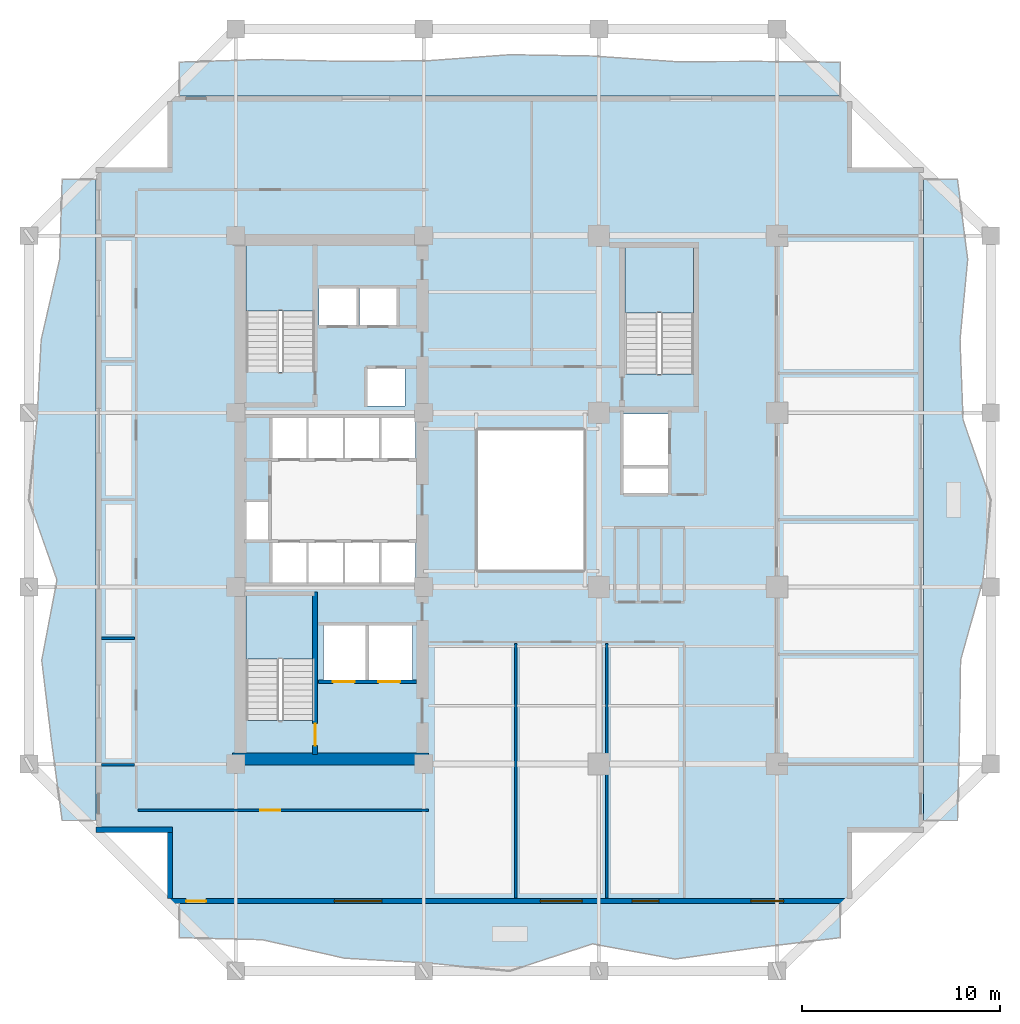
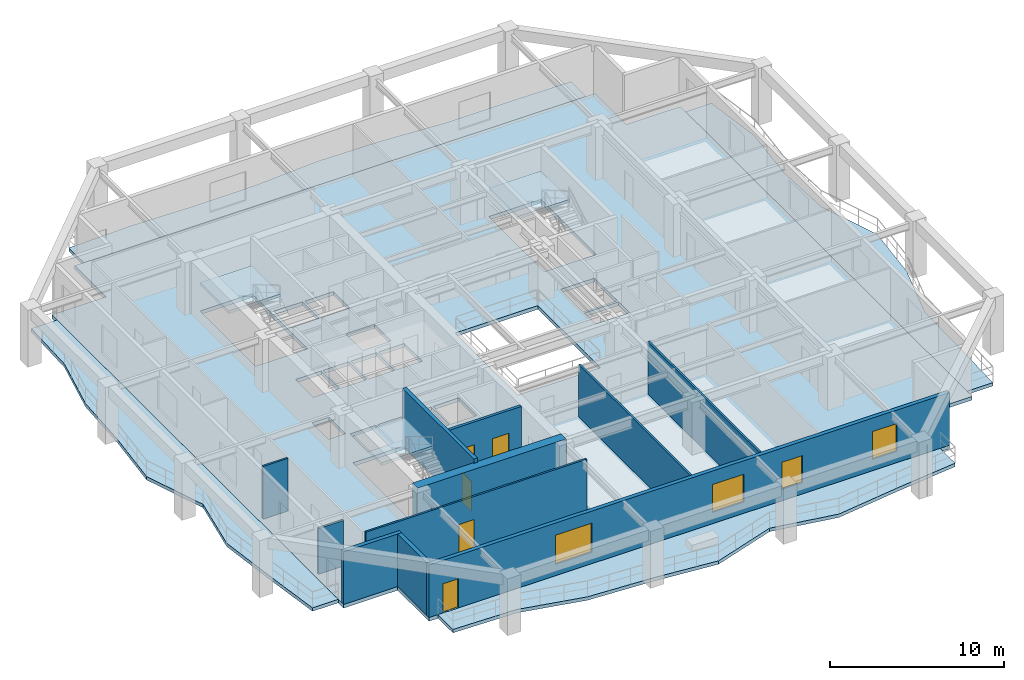
# One storey, part 2 of 11: 11 walls, 8 slabs, 5 doors, 4 windows, 9 openings, 3 elements without a shape of their own.
"""IFC4 building model written with IfcOpenShell, lengths in metres."""

from ifc_helpers import new_model, si_unit, direction, frame, frame_2d, origin, place, context, subcontext, project, spatial, polyline, rectangle, outline, extrude, material, layer, layer_set, type_object, element, fill, aggregate, save


model = new_model("IFC4")

# Units and contexts
model_context = context("Model", 3, precision=1e-05, world=origin(), true_north=direction((0.0, 1.0)))
body_context = subcontext(model_context, "Body", "Model", "MODEL_VIEW")
ifc_project = project(units=[si_unit("LENGTHUNIT", "METRE"), si_unit("AREAUNIT", "SQUARE_METRE"), si_unit("VOLUMEUNIT", "CUBIC_METRE"), si_unit("PLANEANGLEUNIT", "RADIAN"), si_unit("MASSUNIT", "GRAM", prefix="KILO")], contexts=[model_context])

# Site, building, storey
site_placement = place(None, origin())
site = spatial("IfcSite", under=ifc_project, at=site_placement, CompositionType="ELEMENT")
building_placement = place(site_placement, origin())
building = spatial("IfcBuilding", under=site, at=building_placement, Name="Kundavana Baori Tower", CompositionType="ELEMENT")
storey_placement = place(building_placement, frame((0.0, 0.0, 90.0)))
storey = spatial("IfcBuildingStorey", under=building, at=storey_placement, Name="L21", CompositionType="ELEMENT", Elevation=90.0)

# Slab
ifc_material_1 = material(Name="Concrete C40/50", Category="concrete")
ifc_layer_1 = layer(ifc_material_1, 0.260009765625, Name="SLB-FLR-260")
ifc_layer_set_1 = layer_set([ifc_layer_1], Name="Concrete C40/50")
slab_type_1 = type_object("IfcSlabType", Name="SLB-FLR-260", PredefinedType="FLOOR", material=ifc_layer_set_1)
slab_1_placement = place(storey_placement, frame((0.0, 0.0, -0.260009765625)))
element("IfcSlab", 1, at=slab_1_placement, inside=storey, type_object=slab_type_1, Name="L21 Structural Floor Slab", PredefinedType="FLOOR", context=body_context, shape_type="SweptSolid", body=[
    extrude(outline(polyline([(12.0, 8.199951171875), (46.60009765625, 8.199951171875), (46.60009765625, 11.800048828125), (50.199951171875, 11.800048828125), (50.199951171875, 45.39990234375), (46.60009765625, 45.39990234375), (46.60009765625, 49.0), (12.0, 49.0), (12.0, 45.39990234375), (8.39990234375, 45.39990234375), (8.39990234375, 11.800048828125), (12.0, 11.800048828125), (12.0, 8.199951171875)]), holes=[polyline([(19.43994140625, 17.4619140625), (19.43994140625, 23.85009765625), (15.97998046875, 23.85009765625), (15.97998046875, 17.4619140625), (19.43994140625, 17.4619140625)]), polyline([(19.43994140625, 35.06201171875), (19.43994140625, 41.449951171875), (15.97998046875, 41.449951171875), (15.97998046875, 35.06201171875), (19.43994140625, 35.06201171875)]), polyline([(38.580078125, 34.9619140625), (38.580078125, 41.35009765625), (35.1201171875, 41.35009765625), (35.1201171875, 34.9619140625), (38.580078125, 34.9619140625)]), polyline([(17.300048828125, 24.39990234375), (19.02001953125, 24.39990234375), (19.02001953125, 26.449951171875), (17.300048828125, 26.449951171875), (17.300048828125, 24.39990234375)]), polyline([(19.139892578125, 24.39990234375), (20.860107421875, 24.39990234375), (20.860107421875, 26.449951171875), (19.139892578125, 26.449951171875), (19.139892578125, 24.39990234375)]), polyline([(20.97998046875, 24.39990234375), (22.699951171875, 24.39990234375), (22.699951171875, 26.449951171875), (20.97998046875, 26.449951171875), (20.97998046875, 24.39990234375)]), polyline([(22.820068359375, 24.39990234375), (24.5400390625, 24.39990234375), (24.5400390625, 26.449951171875), (22.820068359375, 26.449951171875), (22.820068359375, 24.39990234375)]), polyline([(17.300048828125, 30.699951171875), (19.02001953125, 30.699951171875), (19.02001953125, 32.75), (17.300048828125, 32.75), (17.300048828125, 30.699951171875)]), polyline([(19.139892578125, 30.699951171875), (20.860107421875, 30.699951171875), (20.860107421875, 32.75), (19.139892578125, 32.75), (19.139892578125, 30.699951171875)]), polyline([(20.97998046875, 30.699951171875), (22.699951171875, 30.699951171875), (22.699951171875, 32.75), (20.97998046875, 32.75), (20.97998046875, 30.699951171875)]), polyline([(22.820068359375, 30.699951171875), (24.5400390625, 30.699951171875), (24.5400390625, 32.75), (22.820068359375, 32.75), (22.820068359375, 30.699951171875)]), polyline([(19.64990234375, 37.39990234375), (21.550048828125, 37.39990234375), (21.550048828125, 39.300048828125), (19.64990234375, 39.300048828125), (19.64990234375, 37.39990234375)]), polyline([(21.699951171875, 37.39990234375), (23.60009765625, 37.39990234375), (23.60009765625, 39.300048828125), (21.699951171875, 39.300048828125), (21.699951171875, 37.39990234375)]), polyline([(22.10009765625, 33.35009765625), (24.0, 33.35009765625), (24.0, 35.25), (22.10009765625, 35.25), (22.10009765625, 33.35009765625)]), polyline([(19.8798828125, 19.5), (22.02001953125, 19.5), (22.02001953125, 22.25), (19.8798828125, 22.25), (19.8798828125, 19.5)]), polyline([(22.179931640625, 19.5), (24.3798828125, 19.5), (24.3798828125, 22.25), (22.179931640625, 22.25), (22.179931640625, 19.5)]), polyline([(35.050048828125, 30.35009765625), (37.300048828125, 30.35009765625), (37.300048828125, 32.949951171875), (35.050048828125, 32.949951171875), (35.050048828125, 30.35009765625)]), polyline([(15.949951171875, 26.60009765625), (17.080078125, 26.60009765625), (17.080078125, 28.5), (15.949951171875, 28.5), (15.949951171875, 26.60009765625)]), polyline([(35.050048828125, 28.949951171875), (37.300048828125, 28.949951171875), (37.300048828125, 30.199951171875), (35.050048828125, 30.199951171875), (35.050048828125, 28.949951171875)]), polyline([(27.60009765625, 25.0), (33.10009765625, 25.0), (33.10009765625, 32.199951171875), (27.60009765625, 32.199951171875), (27.60009765625, 25.0)])]), origin(), (0.0, 0.0, 1.0), 0.260009765625),
])

# Stair, slab
ifc_material_2 = material(Name="Concrete C40/50", Category="concrete")
stair_type = type_object("IfcStairType", Name="STR-DOG-1650", PredefinedType="HALF_TURN_STAIR", material=ifc_material_2)
stair_1_placement = place(storey_placement, origin())
stair_1 = element("IfcStair", 2, at=stair_1_placement, inside=storey, type_object=stair_type, Name="L21 Protected Exit Stair ST1", PredefinedType="HALF_TURN_STAIR")
ifc_material_3 = material(Name="Concrete C40/50", Category="concrete")
ifc_layer_2 = layer(ifc_material_3, 0.199951171875, Name="SLB-LND-200")
ifc_layer_set_2 = layer_set([ifc_layer_2], Name="Concrete C40/50")
slab_type_2 = type_object("IfcSlabType", Name="SLB-LND-200", PredefinedType="LANDING", material=ifc_layer_set_2)
slab_2_placement = place(storey_placement, frame((0.0, 0.0, 1.800048828125)))
slab_2 = element("IfcSlab", 3, at=slab_2_placement, type_object=slab_type_2, Name="ST1 landing 1", PredefinedType="LANDING", context=body_context, shape_type="SweptSolid", body=[
    extrude(outline(polyline([(19.43994140625, 20.550048828125), (19.43994140625, 23.85009765625), (15.97998046875, 23.85009765625), (15.97998046875, 20.550048828125), (19.43994140625, 20.550048828125)])), origin(), (0.0, 0.0, 1.0), 0.199951171875),
])
aggregate(stair_1, [slab_2])

stair_2_placement = place(storey_placement, origin())
stair_2 = element("IfcStair", 4, at=stair_2_placement, inside=storey, type_object=stair_type, Name="L21 Protected Exit Stair ST2", PredefinedType="HALF_TURN_STAIR")
slab_3_placement = place(storey_placement, frame((0.0, 0.0, 1.800048828125)))
slab_3 = element("IfcSlab", 5, at=slab_3_placement, type_object=slab_type_2, Name="ST2 landing 1", PredefinedType="LANDING", context=body_context, shape_type="SweptSolid", body=[
    extrude(outline(polyline([(19.43994140625, 38.14990234375), (19.43994140625, 41.449951171875), (15.97998046875, 41.449951171875), (15.97998046875, 38.14990234375), (19.43994140625, 38.14990234375)])), origin(), (0.0, 0.0, 1.0), 0.199951171875),
])
aggregate(stair_2, [slab_3])

stair_3_placement = place(storey_placement, origin())
stair_3 = element("IfcStair", 6, at=stair_3_placement, inside=storey, type_object=stair_type, Name="L21 Protected Exit Stair ST3", PredefinedType="HALF_TURN_STAIR")
slab_4_placement = place(storey_placement, frame((0.0, 0.0, 1.800048828125)))
slab_4 = element("IfcSlab", 7, at=slab_4_placement, type_object=slab_type_2, Name="ST3 landing 1", PredefinedType="LANDING", context=body_context, shape_type="SweptSolid", body=[
    extrude(outline(polyline([(38.580078125, 38.050048828125), (38.580078125, 41.35009765625), (35.1201171875, 41.35009765625), (35.1201171875, 38.050048828125), (38.580078125, 38.050048828125)])), origin(), (0.0, 0.0, 1.0), 0.199951171875),
])
aggregate(stair_3, [slab_4])

# Slabs
ifc_material_4 = material(Name="Concrete C40/50", Category="concrete")
ifc_layer_3 = layer(ifc_material_4, 0.239990234375, Name="SLB-LOG-240")
ifc_layer_set_3 = layer_set([ifc_layer_3], Name="Concrete C40/50")
slab_type_3 = type_object("IfcSlabType", Name="SLB-LOG-240", PredefinedType="FLOOR", material=ifc_layer_set_3)
slab_5_placement = place(storey_placement, frame((0.0, 0.0, -0.239990234375)))
element("IfcSlab", 8, at=slab_5_placement, inside=storey, type_object=slab_type_3, Name="L21 Planted Loggia Balcony Slab S", PredefinedType="FLOOR", context=body_context, shape_type="SweptSolid", body=[
    extrude(outline(polyline([(12.60009765625, 8.199951171875), (46.0, 8.199951171875), (46.0, 6.47998046875), (41.824951171875, 5.98095703125), (37.64990234375, 5.39990234375), (33.47509765625, 6.16796875), (29.300048828125, 4.800048828125), (25.125, 5.2041015625), (20.949951171875, 5.443115234375), (16.77490234375, 6.37890625), (12.60009765625, 6.47998046875), (12.60009765625, 8.199951171875)])), origin(), (0.0, 0.0, 1.0), 0.239990234375),
])
slab_6_placement = place(storey_placement, frame((0.0, 0.0, -0.239990234375)))
element("IfcSlab", 9, at=slab_6_placement, inside=storey, type_object=slab_type_3, Name="L21 Planted Loggia Balcony Slab E", PredefinedType="FLOOR", context=body_context, shape_type="SweptSolid", body=[
    extrude(outline(polyline([(50.199951171875, 12.39990234375), (50.199951171875, 44.800048828125), (51.919921875, 44.800048828125), (52.43603515625, 40.75), (52.049072265625, 36.699951171875), (52.201904296875, 32.64990234375), (53.60009765625, 28.60009765625), (53.2119140625, 24.550048828125), (52.077880859375, 20.5), (52.01904296875, 16.449951171875), (51.919921875, 12.39990234375), (50.199951171875, 12.39990234375)])), origin(), (0.0, 0.0, 1.0), 0.239990234375),
])
slab_7_placement = place(storey_placement, frame((0.0, 0.0, -0.239990234375)))
element("IfcSlab", 10, at=slab_7_placement, inside=storey, type_object=slab_type_3, Name="L21 Planted Loggia Balcony Slab N", PredefinedType="FLOOR", context=body_context, shape_type="SweptSolid", body=[
    extrude(outline(polyline([(46.0, 49.0), (12.60009765625, 49.0), (12.60009765625, 50.719970703125), (16.77490234375, 50.85595703125), (20.949951171875, 50.758056640625), (25.125, 50.7890625), (29.300048828125, 51.094970703125), (33.47509765625, 51.030029296875), (37.64990234375, 50.7470703125), (41.824951171875, 50.756103515625), (46.0, 50.719970703125), (46.0, 49.0)])), origin(), (0.0, 0.0, 1.0), 0.239990234375),
])
slab_8_placement = place(storey_placement, frame((0.0, 0.0, -0.239990234375)))
element("IfcSlab", 11, at=slab_8_placement, inside=storey, type_object=slab_type_3, Name="L21 Planted Loggia Balcony Slab W", PredefinedType="FLOOR", context=body_context, shape_type="SweptSolid", body=[
    extrude(outline(polyline([(8.39990234375, 44.800048828125), (8.39990234375, 12.39990234375), (6.679931640625, 12.39990234375), (6.135986328125, 16.449951171875), (5.64990234375, 20.5), (6.419921875, 24.550048828125), (5.0, 28.60009765625), (5.409912109375, 32.64990234375), (5.62109375, 36.699951171875), (6.552978515625, 40.75), (6.679931640625, 44.800048828125), (8.39990234375, 44.800048828125)])), origin(), (0.0, 0.0, 1.0), 0.239990234375),
])

# Wall, opening, door
ifc_material_5 = material(Name="Concrete C50/60", Category="concrete")
ifc_layer_4 = layer(ifc_material_5, 0.39990234375, Name="WL-CORE-400")
ifc_layer_set_4 = layer_set([ifc_layer_4], Name="Concrete C50/60")
wall_type_1 = type_object("IfcWallType", Name="WL-CORE-400", PredefinedType="SHEAR", material=ifc_layer_set_4)
wall_1_placement = place(storey_placement, frame((19.4599609375, 15.739990234375, 0.0), z_axis=(0.0, 0.0, 1.0), x_axis=(0.0, 1.0, 0.0)))
wall_1 = element("IfcWall", 12, at=wall_1_placement, inside=storey, type_object=wall_type_1, Name="WL-L21-ST1-E", PredefinedType="SHEAR", context=body_context, shape_type="SweptSolid", body=[
    extrude(rectangle(XDim=8.199951171875, YDim=0.239990234375, at=frame_2d((4.10009765625, 0.0))), origin(), (0.0, 0.0, 1.0), 4.0),
])
opening_1_placement = place(wall_1_placement, frame((0.449951171875, 0.0, 0.0)))
opening_1 = element("IfcOpeningElement", 13, at=opening_1_placement, cuts=wall_1, Name="Opening FD-110", PredefinedType="OPENING", context=body_context, shape_type="SweptSolid", body=[
    extrude(rectangle(XDim=1.10009765625, YDim=2.10009765625, at=frame_2d((0.550048828125, 1.050048828125))), frame((0.0, 0.1298828125, 0.0), z_axis=(0.0, -1.0, 0.0), x_axis=(1.0, 0.0, 0.0)), (0.0, 0.0, 1.0), 0.260009765625),
])
ifc_material_6 = material(Name="Galvanised Steel Fire-Rated Door Leaf", Category="steel")
door_type_1 = type_object("IfcDoorType", Name="DR-FD120-1100", OperationType="NOTDEFINED", PredefinedType="DOOR", material=ifc_material_6)
door_1_placement = place(opening_1_placement, origin())
door_1 = element("IfcDoor", 14, at=door_1_placement, inside=storey, type_object=door_type_1, Name="DR-L21-ST1", OperationType="SINGLE_SWING_LEFT", OverallHeight=2.10009765625, OverallWidth=1.10009765625, PredefinedType="DOOR", context=body_context, shape_type="SweptSolid", body=[
    extrude(rectangle(XDim=1.10009765625, YDim=2.10009765625, at=frame_2d((0.550048828125, 1.050048828125))), frame((0.0, 0.02490234375, 0.0), z_axis=(0.0, -1.0, 0.0), x_axis=(1.0, 0.0, 0.0)), (0.0, 0.0, 1.0), 0.050048828125),
])
fill(opening_1, door_1)

# Wall
ifc_material_7 = material(Name="Concrete C60/75", Category="concrete")
ifc_layer_5 = layer(ifc_material_7, 0.60009765625, Name="WL-CORE-600")
ifc_layer_set_5 = layer_set([ifc_layer_5], Name="Concrete C60/75")
wall_type_2 = type_object("IfcWallType", Name="WL-CORE-600", PredefinedType="SHEAR", material=ifc_layer_set_5)
wall_2_placement = place(storey_placement, frame((15.300048828125, 15.510009765625, 0.0), z_axis=(0.0, 0.0, 1.0), x_axis=(1.0, 0.0, 0.0)))
element("IfcWall", 15, at=wall_2_placement, inside=storey, type_object=wall_type_2, Name="L21 Offset Core South Shear Wall", PredefinedType="SHEAR", context=body_context, shape_type="SweptSolid", body=[
    extrude(rectangle(XDim=9.8798828125, YDim=0.60009765625, at=frame_2d((4.93994140625, 0.0))), origin(), (0.0, 0.0, 1.0), 3.699951171875),
])

# Wall, openings, door, windows
ifc_material_8 = material(Name="Kiln-Fired Terracotta Brick-Slip Masonry on Concrete C40/50", Category="masonry")
ifc_layer_6 = layer(ifc_material_8, 0.260009765625, Name="WL-EXT-BRK-260")
ifc_layer_set_6 = layer_set([ifc_layer_6], Name="Kiln-Fired Terracotta Brick-Slip Masonry on Concrete C40/50")
wall_type_3 = type_object("IfcWallType", Name="WL-EXT-BRK-260", PredefinedType="SOLIDWALL", material=ifc_layer_set_6)
wall_3_placement = place(storey_placement, frame((12.0, 8.330078125, 0.0), z_axis=(0.0, 0.0, 1.0), x_axis=(1.0, 0.0, 0.0)))
wall_3 = element("IfcWall", 16, at=wall_3_placement, inside=storey, type_object=wall_type_3, Name="L21 Exterior Insulated Facade Wall 01", PredefinedType="SOLIDWALL", context=body_context, shape_type="SweptSolid", body=[
    extrude(rectangle(XDim=34.60009765625, YDim=0.260009765625, at=frame_2d((17.300048828125, 0.0))), origin(), (0.0, 0.0, 1.0), 3.699951171875),
])
opening_2_placement = place(wall_3_placement, frame((0.949951171875, 0.0, 0.0)))
opening_2 = element("IfcOpeningElement", 17, at=opening_2_placement, cuts=wall_3, Name="Opening BD-1", PredefinedType="OPENING", context=body_context, shape_type="SweptSolid", body=[
    extrude(rectangle(XDim=1.0, YDim=2.050048828125, at=frame_2d((0.5, 1.02490234375))), frame((0.0, 0.14013671875, 0.0), z_axis=(0.0, -1.0, 0.0), x_axis=(1.0, 0.0, 0.0)), (0.0, 0.0, 1.0), 0.280029296875),
])
opening_3_placement = place(wall_3_placement, frame((8.429931640625, 0.0, 0.800048828125)))
opening_3 = element("IfcOpeningElement", 18, at=opening_3_placement, cuts=wall_3, Name="Opening W-04", PredefinedType="OPENING", context=body_context, shape_type="SweptSolid", body=[
    extrude(rectangle(XDim=2.39990234375, YDim=2.050048828125, at=frame_2d((1.199951171875, 1.02490234375))), frame((0.0, 0.14013671875, 0.0), z_axis=(0.0, -1.0, 0.0), x_axis=(1.0, 0.0, 0.0)), (0.0, 0.0, 1.0), 0.280029296875),
])
opening_4_placement = place(wall_3_placement, frame((18.85009765625, 0.0, 0.800048828125)))
opening_4 = element("IfcOpeningElement", 19, at=opening_4_placement, cuts=wall_3, Name="Opening W-05", PredefinedType="OPENING", context=body_context, shape_type="SweptSolid", body=[
    extrude(rectangle(XDim=2.10009765625, YDim=1.949951171875, at=frame_2d((1.050048828125, 0.97509765625))), frame((0.0, 0.14013671875, 0.0), z_axis=(0.0, -1.0, 0.0), x_axis=(1.0, 0.0, 0.0)), (0.0, 0.0, 1.0), 0.280029296875),
])
opening_5_placement = place(wall_3_placement, frame((23.485107421875, 0.0, 0.800048828125)))
opening_5 = element("IfcOpeningElement", 20, at=opening_5_placement, cuts=wall_3, Name="Opening W-07", PredefinedType="OPENING", context=body_context, shape_type="SweptSolid", body=[
    extrude(rectangle(XDim=1.35009765625, YDim=1.89990234375, at=frame_2d((0.675048828125, 0.949951171875))), frame((0.0, 0.14013671875, 0.0), z_axis=(0.0, -1.0, 0.0), x_axis=(1.0, 0.0, 0.0)), (0.0, 0.0, 1.0), 0.280029296875),
])
opening_6_placement = place(wall_3_placement, frame((29.47998046875, 0.0, 0.800048828125)))
opening_6 = element("IfcOpeningElement", 21, at=opening_6_placement, cuts=wall_3, Name="Opening W-08", PredefinedType="OPENING", context=body_context, shape_type="SweptSolid", body=[
    extrude(rectangle(XDim=1.64990234375, YDim=1.949951171875, at=frame_2d((0.824951171875, 0.97509765625))), frame((0.0, 0.14013671875, 0.0), z_axis=(0.0, -1.0, 0.0), x_axis=(1.0, 0.0, 0.0)), (0.0, 0.0, 1.0), 0.280029296875),
])
ifc_material_9 = material(Name="Architectural Patinated Bronze Metalwork")
door_type_2 = type_object("IfcDoorType", Name="DR-EXT-LOG-1000", OperationType="NOTDEFINED", PredefinedType="DOOR", material=ifc_material_9)
door_2_placement = place(opening_2_placement, frame((1.0, 0.0, 0.0), z_axis=(0.0, 0.0, 1.0), x_axis=(-1.0, 0.0, 0.0)))
door_2 = element("IfcDoor", 22, at=door_2_placement, inside=storey, type_object=door_type_2, Name="L21 Loggia Balcony Access Door S", OperationType="SINGLE_SWING_LEFT", OverallHeight=2.050048828125, OverallWidth=1.0, PredefinedType="DOOR", context=body_context, shape_type="SweptSolid", body=[
    extrude(rectangle(XDim=1.0, YDim=2.050048828125, at=frame_2d((0.5, 1.02490234375))), frame((0.0, 0.02490234375, 0.0), z_axis=(0.0, -1.0, 0.0), x_axis=(1.0, 0.0, 0.0)), (0.0, 0.0, 1.0), 0.050048828125),
])
fill(opening_2, door_2)
ifc_material_10 = material(Name="Double-Glazed Solar-Control Low-E Insulated Glass", Category="glass")
window_type_1 = type_object("IfcWindowType", Name="WIN-LOG-1350x1900", PartitioningType="SINGLE_PANEL", PredefinedType="WINDOW", material=ifc_material_10)
window_1_placement = place(opening_5_placement, origin())
window_1 = element("IfcWindow", 23, at=window_1_placement, inside=storey, type_object=window_type_1, Name="L21 Recessed Loggia Window S-3", OverallHeight=1.89990234375, OverallWidth=1.35009765625, PartitioningType="SINGLE_PANEL", PredefinedType="WINDOW", context=body_context, shape_type="SweptSolid", body=[
    extrude(rectangle(XDim=1.35009765625, YDim=1.89990234375, at=frame_2d((0.675048828125, 0.949951171875))), frame((0.0, 0.030029296875, 0.0), z_axis=(0.0, -1.0, 0.0), x_axis=(1.0, 0.0, 0.0)), (0.0, 0.0, 1.0), 0.06005859375),
])
fill(opening_5, window_1)
ifc_material_11 = material(Name="Double-Glazed Solar-Control Low-E Insulated Glass", Category="glass")
window_type_2 = type_object("IfcWindowType", Name="WIN-LOG-1650x1950", PartitioningType="SINGLE_PANEL", PredefinedType="WINDOW", material=ifc_material_11)
window_2_placement = place(opening_6_placement, origin())
window_2 = element("IfcWindow", 24, at=window_2_placement, inside=storey, type_object=window_type_2, Name="L21 Recessed Loggia Window S-4", OverallHeight=1.949951171875, OverallWidth=1.64990234375, PartitioningType="SINGLE_PANEL", PredefinedType="WINDOW", context=body_context, shape_type="SweptSolid", body=[
    extrude(rectangle(XDim=1.64990234375, YDim=1.949951171875, at=frame_2d((0.824951171875, 0.97509765625))), frame((0.0, 0.030029296875, 0.0), z_axis=(0.0, -1.0, 0.0), x_axis=(1.0, 0.0, 0.0)), (0.0, 0.0, 1.0), 0.06005859375),
])
fill(opening_6, window_2)
ifc_material_12 = material(Name="Double-Glazed Solar-Control Low-E Insulated Glass", Category="glass")
window_type_3 = type_object("IfcWindowType", Name="WIN-LOG-2100x1950", PartitioningType="SINGLE_PANEL", PredefinedType="WINDOW", material=ifc_material_12)
window_3_placement = place(opening_4_placement, origin())
window_3 = element("IfcWindow", 25, at=window_3_placement, inside=storey, type_object=window_type_3, Name="L21 Recessed Loggia Window S-2", OverallHeight=1.949951171875, OverallWidth=2.10009765625, PartitioningType="SINGLE_PANEL", PredefinedType="WINDOW", context=body_context, shape_type="SweptSolid", body=[
    extrude(rectangle(XDim=2.10009765625, YDim=1.949951171875, at=frame_2d((1.050048828125, 0.97509765625))), frame((0.0, 0.030029296875, 0.0), z_axis=(0.0, -1.0, 0.0), x_axis=(1.0, 0.0, 0.0)), (0.0, 0.0, 1.0), 0.06005859375),
])
fill(opening_4, window_3)
ifc_material_13 = material(Name="Double-Glazed Solar-Control Low-E Insulated Glass", Category="glass")
window_type_4 = type_object("IfcWindowType", Name="WIN-LOG-2400x2050", PartitioningType="SINGLE_PANEL", PredefinedType="WINDOW", material=ifc_material_13)
window_4_placement = place(opening_3_placement, origin())
window_4 = element("IfcWindow", 26, at=window_4_placement, inside=storey, type_object=window_type_4, Name="L21 Recessed Loggia Window S-1", OverallHeight=2.050048828125, OverallWidth=2.39990234375, PartitioningType="SINGLE_PANEL", PredefinedType="WINDOW", context=body_context, shape_type="SweptSolid", body=[
    extrude(rectangle(XDim=2.39990234375, YDim=2.050048828125, at=frame_2d((1.199951171875, 1.02490234375))), frame((0.0, 0.030029296875, 0.0), z_axis=(0.0, -1.0, 0.0), x_axis=(1.0, 0.0, 0.0)), (0.0, 0.0, 1.0), 0.06005859375),
])
fill(opening_3, window_4)

# Walls
wall_4_placement = place(storey_placement, frame((8.39990234375, 11.929931640625, 0.0), z_axis=(0.0, 0.0, 1.0), x_axis=(1.0, 0.0, 0.0)))
element("IfcWall", 27, at=wall_4_placement, inside=storey, type_object=wall_type_3, Name="L21 Exterior Insulated Facade Wall 11", PredefinedType="SOLIDWALL", context=body_context, shape_type="SweptSolid", body=[
    extrude(rectangle(XDim=3.860107421875, YDim=0.260009765625, at=frame_2d((1.93017578125, 0.0))), origin(), (0.0, 0.0, 1.0), 3.699951171875),
])
wall_5_placement = place(storey_placement, frame((12.1298828125, 11.800048828125, 0.0), z_axis=(0.0, 0.0, 1.0), x_axis=(0.0, -1.0, 0.0)))
element("IfcWall", 28, at=wall_5_placement, inside=storey, type_object=wall_type_3, Name="L21 Exterior Insulated Facade Wall 12", PredefinedType="SOLIDWALL", context=body_context, shape_type="SweptSolid", body=[
    extrude(rectangle(XDim=3.340087890625, YDim=0.260009765625, at=frame_2d((1.669921875, 0.0))), origin(), (0.0, 0.0, 1.0), 3.699951171875),
])

# Wall, openings, doors
ifc_material_14 = material(Name="Autoclaved Aerated Concrete Blockwork Masonry", Category="masonry")
ifc_layer_7 = layer(ifc_material_14, 0.179931640625, Name="WL-SHAFT-180")
ifc_layer_set_7 = layer_set([ifc_layer_7], Name="Autoclaved Aerated Concrete Blockwork Masonry")
wall_type_4 = type_object("IfcWallType", Name="WL-SHAFT-180", PredefinedType="SOLIDWALL", material=ifc_layer_set_7)
wall_6_placement = place(storey_placement, frame((19.639892578125, 19.419921875, 0.0), z_axis=(0.0, 0.0, 1.0), x_axis=(1.0, 0.0, 0.0)))
wall_6 = element("IfcWall", 29, at=wall_6_placement, inside=storey, type_object=wall_type_4, Name="WL-L21-FFL-S", PredefinedType="SOLIDWALL", context=body_context, shape_type="SweptSolid", body=[
    extrude(rectangle(XDim=4.940185546875, YDim=0.179931640625, at=frame_2d((2.47021484375, 0.0))), origin(), (0.0, 0.0, 1.0), 3.699951171875),
])
opening_7_placement = place(wall_6_placement, frame((0.719970703125, 0.0, 0.0)))
opening_7 = element("IfcOpeningElement", 30, at=opening_7_placement, cuts=wall_6, Name="Opening LD-110", PredefinedType="OPENING", context=body_context, shape_type="SweptSolid", body=[
    extrude(rectangle(XDim=1.10009765625, YDim=2.10009765625, at=frame_2d((0.550048828125, 1.050048828125))), frame((0.0, 0.10009765625, 0.0), z_axis=(0.0, -1.0, 0.0), x_axis=(1.0, 0.0, 0.0)), (0.0, 0.0, 1.0), 0.199951171875),
])
opening_8_placement = place(wall_6_placement, frame((3.02001953125, 0.0, 0.0)))
opening_8 = element("IfcOpeningElement", 31, at=opening_8_placement, cuts=wall_6, Name="Opening LD-110", PredefinedType="OPENING", context=body_context, shape_type="SweptSolid", body=[
    extrude(rectangle(XDim=1.10009765625, YDim=2.10009765625, at=frame_2d((0.550048828125, 1.050048828125))), frame((0.0, 0.10009765625, 0.0), z_axis=(0.0, -1.0, 0.0), x_axis=(1.0, 0.0, 0.0)), (0.0, 0.0, 1.0), 0.199951171875),
])
ifc_material_15 = material(Name="Galvanised Steel Fire-Rated Door Leaf", Category="steel")
door_type_3 = type_object("IfcDoorType", Name="DR-SLIDE-LD1100", OperationType="NOTDEFINED", PredefinedType="DOOR", material=ifc_material_15)
door_3_placement = place(opening_7_placement, origin())
door_3 = element("IfcDoor", 32, at=door_3_placement, inside=storey, type_object=door_type_3, Name="DR-L21-LD-FFL-1", OperationType="DOUBLE_DOOR_SLIDING", OverallHeight=2.10009765625, OverallWidth=1.10009765625, PredefinedType="DOOR", context=body_context, shape_type="SweptSolid", body=[
    extrude(rectangle(XDim=1.10009765625, YDim=2.10009765625, at=frame_2d((0.550048828125, 1.050048828125))), frame((0.0, 0.02490234375, 0.0), z_axis=(0.0, -1.0, 0.0), x_axis=(1.0, 0.0, 0.0)), (0.0, 0.0, 1.0), 0.050048828125),
])
fill(opening_7, door_3)
door_4_placement = place(opening_8_placement, origin())
door_4 = element("IfcDoor", 33, at=door_4_placement, inside=storey, type_object=door_type_3, Name="DR-L21-LD-FFL-2", OperationType="DOUBLE_DOOR_SLIDING", OverallHeight=2.10009765625, OverallWidth=1.10009765625, PredefinedType="DOOR", context=body_context, shape_type="SweptSolid", body=[
    extrude(rectangle(XDim=1.10009765625, YDim=2.10009765625, at=frame_2d((0.550048828125, 1.050048828125))), frame((0.0, 0.02490234375, 0.0), z_axis=(0.0, -1.0, 0.0), x_axis=(1.0, 0.0, 0.0)), (0.0, 0.0, 1.0), 0.050048828125),
])
fill(opening_8, door_4)

# Wall
ifc_material_16 = material(Name="Autoclaved Aerated Concrete Blockwork Masonry", Category="masonry")
ifc_layer_8 = layer(ifc_material_16, 0.125, Name="WL-WET-120")
ifc_layer_set_8 = layer_set([ifc_layer_8], Name="Autoclaved Aerated Concrete Blockwork Masonry")
wall_type_5 = type_object("IfcWallType", Name="WL-WET-120", PredefinedType="PLUMBINGWALL", material=ifc_layer_set_8)
wall_7_placement = place(storey_placement, frame((8.679931640625, 15.219970703125, 0.0), z_axis=(0.0, 0.0, 1.0), x_axis=(1.0, 0.0, 0.0)))
element("IfcWall", 34, at=wall_7_placement, inside=storey, type_object=wall_type_5, Name="WL-L21-OWS", PredefinedType="PLUMBINGWALL", context=body_context, shape_type="SweptSolid", body=[
    extrude(rectangle(XDim=1.66015625, YDim=0.125, at=frame_2d((0.830078125, 0.0))), origin(), (0.0, 0.0, 1.0), 3.199951171875),
])

# Wall, opening, door
wall_8_placement = place(storey_placement, frame((10.5, 12.919921875, 0.0), z_axis=(0.0, 0.0, 1.0), x_axis=(1.0, 0.0, 0.0)))
wall_8 = element("IfcWall", 35, at=wall_8_placement, inside=storey, type_object=wall_type_5, Name="WL-L21-OSC", PredefinedType="PLUMBINGWALL", context=body_context, shape_type="SweptSolid", body=[
    extrude(rectangle(XDim=14.699951171875, YDim=0.125, at=frame_2d((7.35009765625, 0.0))), origin(), (0.0, 0.0, 1.0), 3.699951171875),
])
opening_9_placement = place(wall_8_placement, frame((6.199951171875, 0.0, 0.0)))
opening_9 = element("IfcOpeningElement", 36, at=opening_9_placement, cuts=wall_8, Name="Opening ID-100", PredefinedType="OPENING", context=body_context, shape_type="SweptSolid", body=[
    extrude(rectangle(XDim=1.0, YDim=2.080078125, at=frame_2d((0.5, 1.0400390625))), frame((0.0, 0.072509765625, 0.0), z_axis=(0.0, -1.0, 0.0), x_axis=(1.0, 0.0, 0.0)), (0.0, 0.0, 1.0), 0.14501953125),
])
ifc_material_17 = material(Name="Engineered Teak Solid-Core Timber Veneer", Category="wood")
door_type_4 = type_object("IfcDoorType", Name="DR-INT-1000", OperationType="NOTDEFINED", PredefinedType="DOOR", material=ifc_material_17)
door_5_placement = place(opening_9_placement, frame((1.0, 0.0, 0.0), z_axis=(0.0, 0.0, 1.0), x_axis=(-1.0, 0.0, 0.0)))
door_5 = element("IfcDoor", 37, at=door_5_placement, inside=storey, type_object=door_type_4, Name="DR-L21-OSWC", OperationType="SINGLE_SWING_LEFT", OverallHeight=2.080078125, OverallWidth=1.0, PredefinedType="DOOR", context=body_context, shape_type="SweptSolid", body=[
    extrude(rectangle(XDim=1.0, YDim=2.080078125, at=frame_2d((0.5, 1.0400390625))), frame((0.0, 0.02490234375, 0.0), z_axis=(0.0, -1.0, 0.0), x_axis=(1.0, 0.0, 0.0)), (0.0, 0.0, 1.0), 0.050048828125),
])
fill(opening_9, door_5)

# Walls
wall_9_placement = place(storey_placement, frame((8.679931640625, 21.60009765625, 0.0), z_axis=(0.0, 0.0, 1.0), x_axis=(1.0, 0.0, 0.0)))
element("IfcWall", 38, at=wall_9_placement, inside=storey, type_object=wall_type_5, Name="WL-L21-WD1", PredefinedType="PLUMBINGWALL", context=body_context, shape_type="SweptSolid", body=[
    extrude(rectangle(XDim=1.66015625, YDim=0.125, at=frame_2d((0.830078125, 0.0))), origin(), (0.0, 0.0, 1.0), 3.699951171875),
])
for number, where, z_axis, x_axis, name in (
    (39, (29.60009765625, 8.47998046875, 0.0), (0.0, 0.0, 1.0), (0.0, 1.0, 0.0), "WL-L21-SD1"),
    (40, (34.199951171875, 8.47998046875, 0.0), (0.0, 0.0, 1.0), (0.0, 1.0, 0.0), "WL-L21-SD2"),
):
    element("IfcWall", number, at=place(storey_placement, frame(where, z_axis=z_axis, x_axis=x_axis)), inside=storey, type_object=wall_type_5, Name=name, PredefinedType="PLUMBINGWALL", context=body_context, shape_type="SweptSolid", body=[
        extrude(rectangle(XDim=12.860107421875, YDim=0.125, at=frame_2d((6.43017578125, 0.0))), origin(), (0.0, 0.0, 1.0), 3.699951171875),
    ])

save(model, "model.ifc")
